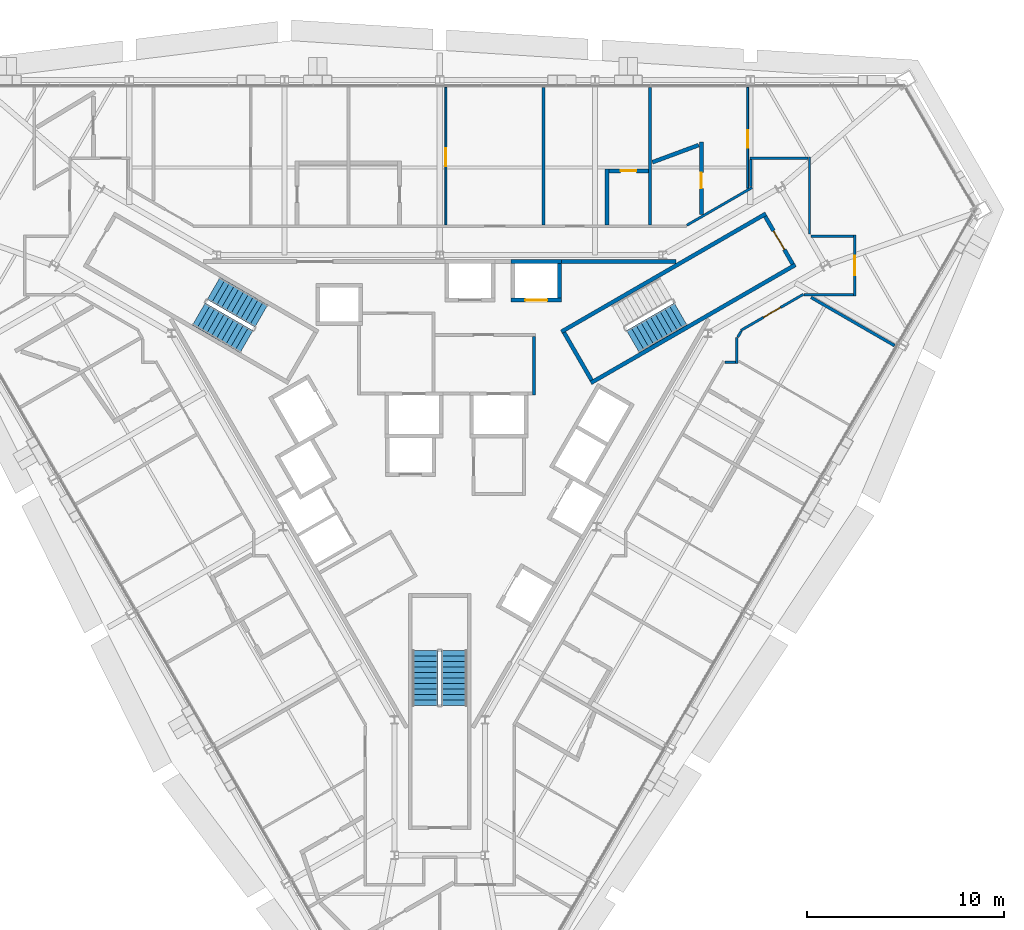
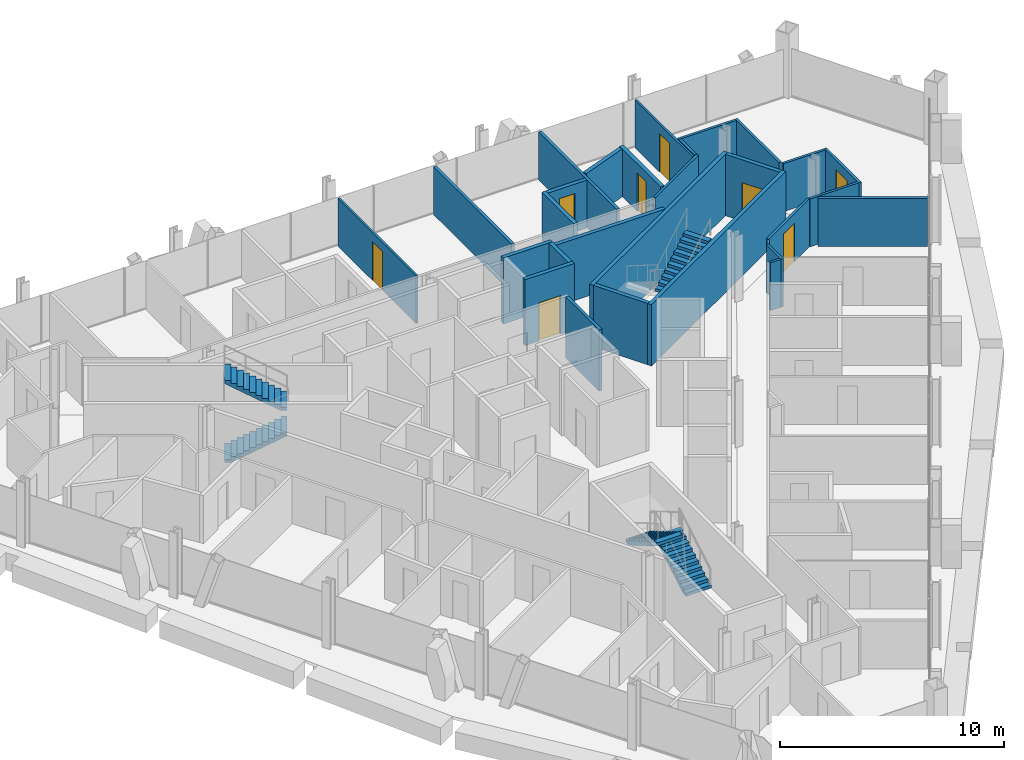
# One storey, part 14 of 17: 29 walls, 8 doors, 5 stair flights, 8 openings, 3 elements without a shape of their own.
"""IFC4 building model written with IfcOpenShell, lengths in metres."""

from ifc_helpers import new_model, si_unit, direction, frame, frame_2d, origin, place, context, subcontext, project, spatial, polyline, rectangle, outline, extrude, material, layer, layer_set, type_object, element, fill, aggregate, save


model = new_model("IFC4")

# Units and contexts
model_context = context("Model", 3, precision=1e-05, world=origin(), true_north=direction((0.0, 1.0)))
body_context = subcontext(model_context, "Body", "Model", "MODEL_VIEW")
ifc_project = project(units=[si_unit("LENGTHUNIT", "METRE"), si_unit("AREAUNIT", "SQUARE_METRE"), si_unit("VOLUMEUNIT", "CUBIC_METRE"), si_unit("PLANEANGLEUNIT", "RADIAN"), si_unit("MASSUNIT", "GRAM", prefix="KILO")], contexts=[model_context])

# Site, building, storey
site_placement = place(None, origin())
site = spatial("IfcSite", under=ifc_project, at=site_placement, CompositionType="ELEMENT")
building_placement = place(site_placement, origin())
building = spatial("IfcBuilding", under=site, at=building_placement, Name="Verrane Prism Tower", CompositionType="ELEMENT")
storey_placement = place(building_placement, frame((0.0, 0.0, 96.39990234375)))
storey = spatial("IfcBuildingStorey", under=building, at=storey_placement, Name="L22", CompositionType="ELEMENT", Elevation=96.39990234375)

# Wall
ifc_material_1 = material(Name="Gypsum board partition", Category="other")
ifc_layer_1 = layer(ifc_material_1, 0.199951171875)
ifc_layer_set_1 = layer_set([ifc_layer_1], Name="CW-200 core boundary wall 2 h")
wall_type_1 = type_object("IfcWallType", Name="CW-200 core boundary wall 2 h", PredefinedType="PARTITIONING", material=ifc_layer_set_1)
wall_1_placement = place(storey_placement, frame((6.177001953125, 8.860107421875, 0.0), z_axis=(0.0, 0.0, 1.0), x_axis=(1.0, 0.0, 0.0)))
element("IfcWall", 1, at=wall_1_placement, inside=storey, type_object=wall_type_1, Name="Core boundary wall CW3-006", PredefinedType="PARTITIONING", context=body_context, shape_type="SweptSolid", body=[
    extrude(rectangle(XDim=5.81396484375, YDim=0.199951171875, at=frame_2d((2.906982421875, 0.0))), origin(), (0.0, 0.0, 1.0), 3.35009765625),
])

# Wall, opening, door
ifc_material_2 = material(Name="Concrete C40/50", Category="concrete")
ifc_layer_2 = layer(ifc_material_2, 0.199951171875)
ifc_layer_set_2 = layer_set([ifc_layer_2], Name="CW-200 stair core wall concrete C40/50 3 h")
wall_type_2 = type_object("IfcWallType", Name="CW-200 stair core wall concrete C40/50 3 h", PredefinedType="PARTITIONING", material=ifc_layer_set_2)
wall_2_placement = place(storey_placement, frame((17.933837890625, 8.737548828125, 0.0), z_axis=(0.0, 0.0, 1.0), x_axis=(-0.49998411664, 0.866034573852, 0.0)))
wall_2 = element("IfcWall", 2, at=wall_2_placement, inside=storey, type_object=wall_type_2, Name="Stair 1 enclosure wall", PredefinedType="PARTITIONING", context=body_context, shape_type="SweptSolid", body=[
    extrude(rectangle(XDim=2.7998046875, YDim=0.199951171875, at=frame_2d((1.39990234375, 0.0))), origin(), (0.0, 0.0, 1.0), 3.35009765625),
])
opening_1_placement = place(wall_2_placement, frame((0.849853515625, 0.0, 0.0)))
opening_1 = element("IfcOpeningElement", 3, at=opening_1_placement, cuts=wall_2, Name="Opening D21500", PredefinedType="OPENING", context=body_context, shape_type="SweptSolid", body=[
    extrude(rectangle(XDim=1.10009765625, YDim=2.10009765625, at=frame_2d((0.550048828125, 1.050048828125))), frame((0.0, 0.10986328125, 0.0), z_axis=(0.0, -1.0, 0.0), x_axis=(1.0, 0.0, 0.0)), (0.0, 0.0, 1.0), 0.219970703125),
])
ifc_material_3 = material(Name="Timber veneered door leaf", Category="wood")
door_type_1 = type_object("IfcDoorType", Name="DR-1100x2100 FD90 single leaf stair", OperationType="NOTDEFINED", PredefinedType="DOOR", material=ifc_material_3)
door_1_placement = place(opening_1_placement, origin())
door_1 = element("IfcDoor", 4, at=door_1_placement, inside=storey, type_object=door_type_1, Name="Stair 1 door", OperationType="SINGLE_SWING_LEFT", OverallHeight=2.10009765625, OverallWidth=1.10009765625, PredefinedType="DOOR", context=body_context, shape_type="SweptSolid", body=[
    extrude(rectangle(XDim=1.10009765625, YDim=2.10009765625, at=frame_2d((0.550048828125, 1.050048828125))), frame((0.0, 0.02490234375, 0.0), z_axis=(0.0, -1.0, 0.0), x_axis=(1.0, 0.0, 0.0)), (0.0, 0.0, 1.0), 0.050048828125),
])
fill(opening_1, door_1)

# Walls
for number, where, z_axis, x_axis, name in (
    (5, (6.17822265625, 5.299072265625, 0.0), (0.0, 0.0, 1.0), (0.866026010844, 0.49999894854, 0.0), "Stair 1 enclosure wall"),
    (6, (7.67822265625, 2.700927734375, 0.0), (0.0, 0.0, 1.0), (0.866026010844, 0.49999894854, 0.0), "Stair 1 enclosure wall"),
):
    element("IfcWall", number, at=place(storey_placement, frame(where, z_axis=z_axis, x_axis=x_axis)), inside=storey, type_object=wall_type_2, Name=name, PredefinedType="PARTITIONING", context=body_context, shape_type="SweptSolid", body=[
        extrude(rectangle(XDim=12.0, YDim=0.199951171875, at=frame_2d((6.0, 0.0))), origin(), (0.0, 0.0, 1.0), 3.35009765625),
    ])
wall_3_placement = place(storey_placement, frame((7.71484375, 2.837646484375, 0.0), z_axis=(0.0, 0.0, 1.0), x_axis=(-0.500049511043, 0.865996816683, 0.0)))
element("IfcWall", 7, at=wall_3_placement, inside=storey, type_object=wall_type_2, Name="Stair 1 enclosure wall", PredefinedType="PARTITIONING", context=body_context, shape_type="SweptSolid", body=[
    extrude(rectangle(XDim=2.800048828125, YDim=0.199951171875, at=frame_2d((1.39990234375, 0.0))), origin(), (0.0, 0.0, 1.0), 3.35009765625),
])

# Wall, opening, door
ifc_material_4 = material(Name="Gypsum board shaft wall assembly", Category="other")
ifc_layer_3 = layer(ifc_material_4, 0.199951171875)
ifc_layer_set_3 = layer_set([ifc_layer_3], Name="HW-200 lift shaft wall 2 h")
wall_type_3 = type_object("IfcWallType", Name="HW-200 lift shaft wall 2 h", PredefinedType="PARTITIONING", material=ifc_layer_set_3)
wall_4_placement = place(storey_placement, frame((3.625, 6.909912109375, 0.0), z_axis=(0.0, 0.0, 1.0), x_axis=(1.0, 0.0, 0.0)))
wall_4 = element("IfcWall", 8, at=wall_4_placement, inside=storey, type_object=wall_type_3, Name="Lift shaft wall", PredefinedType="PARTITIONING", context=body_context, shape_type="SweptSolid", body=[
    extrude(rectangle(XDim=2.550048828125, YDim=0.199951171875, at=frame_2d((1.27490234375, 0.0))), origin(), (0.0, 0.0, 1.0), 3.60009765625),
])
opening_2_placement = place(wall_4_placement, frame((0.72509765625, 0.0, 0.0)))
opening_2 = element("IfcOpeningElement", 9, at=opening_2_placement, cuts=wall_4, Name="Opening D21505", PredefinedType="OPENING", context=body_context, shape_type="SweptSolid", body=[
    extrude(rectangle(XDim=1.10009765625, YDim=2.10009765625, at=frame_2d((0.550048828125, 1.050048828125))), frame((0.0, 0.10986328125, 0.0), z_axis=(0.0, -1.0, 0.0), x_axis=(1.0, 0.0, 0.0)), (0.0, 0.0, 1.0), 0.219970703125),
])
ifc_material_5 = material(Name="Stainless steel sliding landing door", Category="steel")
door_type_2 = type_object("IfcDoorType", Name="LD-1100x2100 lift landing door FD90 sliding", OperationType="NOTDEFINED", PredefinedType="DOOR", material=ifc_material_5)
door_2_placement = place(opening_2_placement, origin())
door_2 = element("IfcDoor", 10, at=door_2_placement, inside=storey, type_object=door_type_2, Name="Bank A lift 3 landing door", OperationType="SLIDING_TO_LEFT", OverallHeight=2.10009765625, OverallWidth=1.10009765625, PredefinedType="DOOR", context=body_context, shape_type="SweptSolid", body=[
    extrude(rectangle(XDim=1.10009765625, YDim=2.10009765625, at=frame_2d((0.550048828125, 1.050048828125))), frame((0.0, 0.02490234375, 0.0), z_axis=(0.0, -1.0, 0.0), x_axis=(1.0, 0.0, 0.0)), (0.0, 0.0, 1.0), 0.050048828125),
])
fill(opening_2, door_2)

# Walls
wall_5_placement = place(storey_placement, frame((3.625, 8.860107421875, 0.0), z_axis=(0.0, 0.0, 1.0), x_axis=(1.0, 0.0, 0.0)))
element("IfcWall", 11, at=wall_5_placement, inside=storey, type_object=wall_type_3, Name="Lift shaft wall", PredefinedType="PARTITIONING", context=body_context, shape_type="SweptSolid", body=[
    extrude(rectangle(XDim=2.550048828125, YDim=0.199951171875, at=frame_2d((1.27490234375, 0.0))), origin(), (0.0, 0.0, 1.0), 3.60009765625),
])
wall_6_placement = place(storey_placement, frame((6.074951171875, 7.010009765625, 0.0), z_axis=(0.0, 0.0, 1.0), x_axis=(0.0, 1.0, 0.0)))
element("IfcWall", 12, at=wall_6_placement, inside=storey, type_object=wall_type_3, Name="Lift shaft wall", PredefinedType="PARTITIONING", context=body_context, shape_type="SweptSolid", body=[
    extrude(rectangle(XDim=1.75, YDim=0.199951171875, at=frame_2d((0.875, 0.0))), origin(), (0.0, 0.0, 1.0), 3.60009765625),
])
ifc_material_6 = material(Name="Gypsum board partition", Category="other")
ifc_layer_4 = layer(ifc_material_6, 0.14990234375)
ifc_layer_set_4 = layer_set([ifc_layer_4], Name="LF-150 firefighting lobby wall 1 h")
wall_type_4 = type_object("IfcWallType", Name="LF-150 firefighting lobby wall 1 h", PredefinedType="PARTITIONING", material=ifc_layer_set_4)
wall_7_placement = place(storey_placement, frame((4.7900390625, 2.0849609375, 0.0), z_axis=(0.0, 0.0, 1.0), x_axis=(0.0, 1.0, 0.0)))
element("IfcWall", 13, at=wall_7_placement, inside=storey, type_object=wall_type_4, Name="Firefighting lobby wall LF1-008", PredefinedType="PARTITIONING", context=body_context, shape_type="SweptSolid", body=[
    extrude(rectangle(XDim=2.97998046875, YDim=0.14990234375, at=frame_2d((1.489990234375, 0.0))), origin(), (0.0, 0.0, 1.0), 3.35009765625),
])

# Wall, opening, door
ifc_material_7 = material(Name="Gypsum board partition", Category="other")
ifc_layer_5 = layer(ifc_material_7, 0.10009765625)
ifc_layer_set_5 = layer_set([ifc_layer_5], Name="PW-100 room partition")
wall_type_5 = type_object("IfcWallType", Name="PW-100 room partition", PredefinedType="PARTITIONING", material=ifc_layer_set_5)
wall_8_placement = place(storey_placement, frame((0.31298828125, 10.7333984375, 0.0), z_axis=(0.0, 0.0, 1.0), x_axis=(0.0, 1.0, 0.0)))
wall_8 = element("IfcWall", 14, at=wall_8_placement, inside=storey, type_object=wall_type_5, Name="Room partition 053", PredefinedType="PARTITIONING", context=body_context, shape_type="SweptSolid", body=[
    extrude(rectangle(XDim=6.981689453125, YDim=0.10009765625, at=frame_2d((3.49072265625, 0.0))), origin(), (0.0, 0.0, 1.0), 2.613037109375),
])
opening_3_placement = place(wall_8_placement, frame((2.987548828125, 0.0, 0.0)))
opening_3 = element("IfcOpeningElement", 15, at=opening_3_placement, cuts=wall_8, Name="Opening D21018", PredefinedType="OPENING", context=body_context, shape_type="SweptSolid", body=[
    extrude(rectangle(XDim=0.89990234375, YDim=2.10009765625, at=frame_2d((0.449951171875, 1.050048828125))), frame((0.0, 0.06005859375, 0.0), z_axis=(0.0, -1.0, 0.0), x_axis=(1.0, 0.0, 0.0)), (0.0, 0.0, 1.0), 0.1201171875),
])
ifc_material_8 = material(Name="Timber veneered door leaf", Category="wood")
door_type_3 = type_object("IfcDoorType", Name="DR-900x2100 single leaf inner", OperationType="NOTDEFINED", PredefinedType="DOOR", material=ifc_material_8)
door_3_placement = place(opening_3_placement, origin())
door_3 = element("IfcDoor", 16, at=door_3_placement, inside=storey, type_object=door_type_3, Name="Suite Living Room door", OperationType="SINGLE_SWING_RIGHT", OverallHeight=2.10009765625, OverallWidth=0.89990234375, PredefinedType="DOOR", context=body_context, shape_type="SweptSolid", body=[
    extrude(rectangle(XDim=0.89990234375, YDim=2.10009765625, at=frame_2d((0.449951171875, 1.050048828125))), frame((0.0, 0.02490234375, 0.0), z_axis=(0.0, -1.0, 0.0), x_axis=(1.0, 0.0, 0.0)), (0.0, 0.0, 1.0), 0.050048828125),
])
fill(opening_3, door_3)

wall_9_placement = place(storey_placement, frame((15.64794921875, 12.59912109375, 0.0), z_axis=(0.0, 0.0, 1.0), x_axis=(0.0, 1.0, 0.0)))
wall_9 = element("IfcWall", 17, at=wall_9_placement, inside=storey, type_object=wall_type_5, Name="Room partition 087", PredefinedType="PARTITIONING", context=body_context, shape_type="SweptSolid", body=[
    extrude(rectangle(XDim=5.115966796875, YDim=0.10009765625, at=frame_2d((2.55810546875, 0.0))), origin(), (0.0, 0.0, 1.0), 2.613037109375),
])
opening_4_placement = place(wall_9_placement, frame((2.049072265625, 0.0, 0.0)))
opening_4 = element("IfcOpeningElement", 18, at=opening_4_placement, cuts=wall_9, Name="Opening D21013", PredefinedType="OPENING", context=body_context, shape_type="SweptSolid", body=[
    extrude(rectangle(XDim=0.89990234375, YDim=2.10009765625, at=frame_2d((0.449951171875, 1.050048828125))), frame((0.0, 0.06005859375, 0.0), z_axis=(0.0, -1.0, 0.0), x_axis=(1.0, 0.0, 0.0)), (0.0, 0.0, 1.0), 0.1201171875),
])
door_4_placement = place(opening_4_placement, origin())
door_4 = element("IfcDoor", 19, at=door_4_placement, inside=storey, type_object=door_type_3, Name="Suite Living Room door", OperationType="SINGLE_SWING_LEFT", OverallHeight=2.10009765625, OverallWidth=0.89990234375, PredefinedType="DOOR", context=body_context, shape_type="SweptSolid", body=[
    extrude(rectangle(XDim=0.89990234375, YDim=2.10009765625, at=frame_2d((0.449951171875, 1.050048828125))), frame((0.0, 0.02490234375, 0.0), z_axis=(0.0, -1.0, 0.0), x_axis=(1.0, 0.0, 0.0)), (0.0, 0.0, 1.0), 0.050048828125),
])
fill(opening_4, door_4)

# Walls
ifc_material_9 = material(Name="Gypsum board partition", Category="other")
ifc_layer_6 = layer(ifc_material_9, 0.125)
ifc_layer_set_6 = layer_set([ifc_layer_6], Name="PW-125 corridor wall 1 h")
wall_type_6 = type_object("IfcWallType", Name="PW-125 corridor wall 1 h", PredefinedType="PARTITIONING", material=ifc_layer_set_6)
wall_10_placement = place(storey_placement, frame((12.5556640625, 10.71337890625, 0.0), z_axis=(0.0, 0.0, 1.0), x_axis=(0.86603035395, 0.499991425964, 0.0)))
element("IfcWall", 20, at=wall_10_placement, inside=storey, type_object=wall_type_6, Name="Corridor wall 077", PredefinedType="PARTITIONING", context=body_context, shape_type="SweptSolid", body=[
    extrude(rectangle(XDim=3.82373046875, YDim=0.125, at=frame_2d((1.911865234375, 0.0))), origin(), (0.0, 0.0, 1.0), 2.613037109375),
])
wall_11_placement = place(storey_placement, frame((14.489013671875, 3.7490234375, 0.0), z_axis=(0.0, 0.0, 1.0), x_axis=(1.0, 0.0, 0.0)))
element("IfcWall", 21, at=wall_11_placement, inside=storey, type_object=wall_type_6, Name="Corridor wall 081", PredefinedType="PARTITIONING", context=body_context, shape_type="SweptSolid", body=[
    extrude(rectangle(XDim=0.546875, YDim=0.125, at=frame_2d((0.2734375, 0.0))), origin(), (0.0, 0.0, 1.0), 2.613037109375),
])
wall_12_placement = place(storey_placement, frame((15.10107421875, 3.6865234375, 0.0), z_axis=(0.0, 0.0, 1.0), x_axis=(0.0, 1.0, 0.0)))
element("IfcWall", 22, at=wall_12_placement, inside=storey, type_object=wall_type_6, Name="Corridor wall 083", PredefinedType="PARTITIONING", context=body_context, shape_type="SweptSolid", body=[
    extrude(rectangle(XDim=1.3310546875, YDim=0.125, at=frame_2d((0.66552734375, 0.0))), origin(), (0.0, 0.0, 1.0), 2.613037109375),
])
wall_13_placement = place(storey_placement, frame((15.1435546875, 5.028564453125, 0.0), z_axis=(0.0, 0.0, 1.0), x_axis=(0.499682006278, 0.86620891972, 0.0)))
element("IfcWall", 23, at=wall_13_placement, inside=storey, type_object=wall_type_6, Name="Corridor wall 085", PredefinedType="PARTITIONING", context=body_context, shape_type="SweptSolid", body=[
    extrude(rectangle(XDim=0.348388671875, YDim=0.125, at=frame_2d((0.17431640625, 0.0))), origin(), (0.0, 0.0, 1.0), 2.613037109375),
])

# Wall, opening, door
wall_14_placement = place(storey_placement, frame((18.47802734375, 7.204345703125, 0.0), z_axis=(0.0, 0.0, 1.0), x_axis=(-0.866011320536, -0.500024392108, 0.0)))
wall_14 = element("IfcWall", 24, at=wall_14_placement, inside=storey, type_object=wall_type_6, Name="Corridor wall 086", PredefinedType="PARTITIONING", context=body_context, shape_type="SweptSolid", body=[
    extrude(rectangle(XDim=3.662841796875, YDim=0.125, at=frame_2d((1.83154296875, 0.0))), origin(), (0.0, 0.0, 1.0), 2.613037109375),
])
opening_5_placement = place(wall_14_placement, frame((1.3505859375, 0.0, 0.0)))
opening_5 = element("IfcOpeningElement", 25, at=opening_5_placement, cuts=wall_14, Name="Opening D21009", PredefinedType="OPENING", context=body_context, shape_type="SweptSolid", body=[
    extrude(rectangle(XDim=1.0, YDim=2.10009765625, at=frame_2d((0.5, 1.050048828125))), frame((0.0, 0.072509765625, 0.0), z_axis=(0.0, -1.0, 0.0), x_axis=(1.0, 0.0, 0.0)), (0.0, 0.0, 1.0), 0.14501953125),
])
ifc_material_10 = material(Name="Timber veneered door leaf", Category="wood")
door_type_4 = type_object("IfcDoorType", Name="DR-1000x2100 FD20 single leaf unit", OperationType="NOTDEFINED", PredefinedType="DOOR", material=ifc_material_10)
door_5_placement = place(opening_5_placement, origin())
door_5 = element("IfcDoor", 26, at=door_5_placement, inside=storey, type_object=door_type_4, Name="Suite Living Room door", OperationType="SINGLE_SWING_RIGHT", OverallHeight=2.10009765625, OverallWidth=1.0, PredefinedType="DOOR", context=body_context, shape_type="SweptSolid", body=[
    extrude(rectangle(XDim=1.0, YDim=2.10009765625, at=frame_2d((0.5, 1.050048828125))), frame((0.0, 0.02490234375, 0.0), z_axis=(0.0, -1.0, 0.0), x_axis=(1.0, 0.0, 0.0)), (0.0, 0.0, 1.0), 0.050048828125),
])
fill(opening_5, door_5)

# Walls
wall_15_placement = place(storey_placement, frame((15.81298828125, 12.678955078125, 0.0), z_axis=(0.0, 0.0, 1.0), x_axis=(0.0, 1.0, 0.0)))
element("IfcWall", 27, at=wall_15_placement, inside=storey, type_object=wall_type_6, Name="Corridor wall 088", PredefinedType="PARTITIONING", context=body_context, shape_type="SweptSolid", body=[
    extrude(rectangle(XDim=1.383056640625, YDim=0.125, at=frame_2d((0.69140625, 0.0))), origin(), (0.0, 0.0, 1.0), 2.613037109375),
])
wall_16_placement = place(storey_placement, frame((15.75048828125, 14.126953125, 0.0), z_axis=(0.0, 0.0, 1.0), x_axis=(1.0, 0.0, 0.0)))
element("IfcWall", 28, at=wall_16_placement, inside=storey, type_object=wall_type_6, Name="Corridor wall 089", PredefinedType="PARTITIONING", context=body_context, shape_type="SweptSolid", body=[
    extrude(rectangle(XDim=2.971435546875, YDim=0.125, at=frame_2d((1.48583984375, 0.0))), origin(), (0.0, 0.0, 1.0), 2.613037109375),
])
wall_17_placement = place(storey_placement, frame((18.509033203125, 7.173095703125, 0.0), z_axis=(0.0, 0.0, 1.0), x_axis=(1.0, 0.0, 0.0)))
element("IfcWall", 29, at=wall_17_placement, inside=storey, type_object=wall_type_6, Name="Corridor wall 090", PredefinedType="PARTITIONING", context=body_context, shape_type="SweptSolid", body=[
    extrude(rectangle(XDim=2.512939453125, YDim=0.125, at=frame_2d((1.25634765625, 0.0))), origin(), (0.0, 0.0, 1.0), 2.613037109375),
])
wall_18_placement = place(storey_placement, frame((18.787109375, 10.259033203125, 0.0), z_axis=(0.0, 0.0, 1.0), x_axis=(0.0, 1.0, 0.0)))
element("IfcWall", 30, at=wall_18_placement, inside=storey, type_object=wall_type_6, Name="Corridor wall 092", PredefinedType="PARTITIONING", context=body_context, shape_type="SweptSolid", body=[
    extrude(rectangle(XDim=3.930419921875, YDim=0.125, at=frame_2d((1.96533203125, 0.0))), origin(), (0.0, 0.0, 1.0), 2.613037109375),
])
wall_19_placement = place(storey_placement, frame((18.85205078125, 10.14697265625, 0.0), z_axis=(0.0, 0.0, 1.0), x_axis=(1.0, 0.0, 0.0)))
element("IfcWall", 31, at=wall_19_placement, inside=storey, type_object=wall_type_6, Name="Corridor wall 093", PredefinedType="PARTITIONING", context=body_context, shape_type="SweptSolid", body=[
    extrude(rectangle(XDim=2.169921875, YDim=0.125, at=frame_2d((1.0849609375, 0.0))), origin(), (0.0, 0.0, 1.0), 2.613037109375),
])

# Wall, opening, door
wall_20_placement = place(storey_placement, frame((21.0869140625, 10.20947265625, 0.0), z_axis=(0.0, 0.0, 1.0), x_axis=(0.0, -1.0, 0.0)))
wall_20 = element("IfcWall", 32, at=wall_20_placement, inside=storey, type_object=wall_type_6, Name="Corridor wall 094", PredefinedType="PARTITIONING", context=body_context, shape_type="SweptSolid", body=[
    extrude(rectangle(XDim=3.098876953125, YDim=0.125, at=frame_2d((1.54931640625, 0.0))), origin(), (0.0, 0.0, 1.0), 2.613037109375),
])
opening_6_placement = place(wall_20_placement, frame((1.03662109375, 0.0, 0.0)))
opening_6 = element("IfcOpeningElement", 33, at=opening_6_placement, cuts=wall_20, Name="Opening D21012", PredefinedType="OPENING", context=body_context, shape_type="SweptSolid", body=[
    extrude(rectangle(XDim=1.0, YDim=2.10009765625, at=frame_2d((0.5, 1.050048828125))), frame((0.0, 0.072509765625, 0.0), z_axis=(0.0, -1.0, 0.0), x_axis=(1.0, 0.0, 0.0)), (0.0, 0.0, 1.0), 0.14501953125),
])
door_6_placement = place(opening_6_placement, origin())
door_6 = element("IfcDoor", 34, at=door_6_placement, inside=storey, type_object=door_type_4, Name="Suite Living Room door", OperationType="SINGLE_SWING_LEFT", OverallHeight=2.10009765625, OverallWidth=1.0, PredefinedType="DOOR", context=body_context, shape_type="SweptSolid", body=[
    extrude(rectangle(XDim=1.0, YDim=2.10009765625, at=frame_2d((0.5, 1.050048828125))), frame((0.0, 0.02490234375, 0.0), z_axis=(0.0, -1.0, 0.0), x_axis=(1.0, 0.0, 0.0)), (0.0, 0.0, 1.0), 0.050048828125),
])
fill(opening_6, door_6)

# Walls
ifc_material_11 = material(Name="Gypsum board partition", Category="other")
ifc_layer_7 = layer(ifc_material_11, 0.14990234375)
ifc_layer_set_7 = layer_set([ifc_layer_7], Name="PW-150 demising wall 1 h")
wall_type_7 = type_object("IfcWallType", Name="PW-150 demising wall 1 h", PredefinedType="PARTITIONING", material=ifc_layer_set_7)
for number, where, z_axis, x_axis, name in (
    (35, (5.26806640625, 10.7333984375, 0.0), (0.0, 0.0, 1.0), (0.0, 1.0, 0.0), "Demising wall 062"),
    (36, (10.693115234375, 10.7333984375, 0.0), (0.0, 0.0, 1.0), (0.0, 1.0, 0.0), "Demising wall 073"),
):
    element("IfcWall", number, at=place(storey_placement, frame(where, z_axis=z_axis, x_axis=x_axis)), inside=storey, type_object=wall_type_7, Name=name, PredefinedType="PARTITIONING", context=body_context, shape_type="SweptSolid", body=[
        extrude(rectangle(XDim=6.981689453125, YDim=0.14990234375, at=frame_2d((3.49072265625, 0.0))), origin(), (0.0, 0.0, 1.0), 2.613037109375),
    ])
wall_21_placement = place(storey_placement, frame((18.86572265625, 7.045654296875, 0.0), z_axis=(0.0, 0.0, 1.0), x_axis=(0.866042025588, -0.499971209087, 0.0)))
element("IfcWall", 37, at=wall_21_placement, inside=storey, type_object=wall_type_7, Name="Demising wall 091", PredefinedType="PARTITIONING", context=body_context, shape_type="SweptSolid", body=[
    extrude(rectangle(XDim=4.899169921875, YDim=0.14990234375, at=frame_2d((2.44970703125, 0.0))), origin(), (0.0, 0.0, 1.0), 2.613037109375),
])
ifc_material_12 = material(Name="Gypsum board partition", Category="other")
ifc_layer_8 = layer(ifc_material_12, 0.199951171875)
ifc_layer_set_8 = layer_set([ifc_layer_8], Name="PW-200 plumbing wall")
wall_type_8 = type_object("IfcWallType", Name="PW-200 plumbing wall", PredefinedType="PARTITIONING", material=ifc_layer_set_8)
wall_22_placement = place(storey_placement, frame((8.492919921875, 10.7333984375, 0.0), z_axis=(0.0, 0.0, 1.0), x_axis=(0.0, 1.0, 0.0)))
element("IfcWall", 38, at=wall_22_placement, inside=storey, type_object=wall_type_8, Name="Plumbing wall 067", PredefinedType="PARTITIONING", context=body_context, shape_type="SweptSolid", body=[
    extrude(rectangle(XDim=2.837646484375, YDim=0.199951171875, at=frame_2d((1.4189453125, 0.0))), origin(), (0.0, 0.0, 1.0), 2.613037109375),
])

# Wall, opening, door
wall_23_placement = place(storey_placement, frame((10.617919921875, 13.470947265625, 0.0), z_axis=(0.0, 0.0, 1.0), x_axis=(-1.0, 0.0, 0.0)))
wall_23 = element("IfcWall", 39, at=wall_23_placement, inside=storey, type_object=wall_type_8, Name="Plumbing wall 068", PredefinedType="PARTITIONING", context=body_context, shape_type="SweptSolid", body=[
    extrude(rectangle(XDim=2.02490234375, YDim=0.199951171875, at=frame_2d((1.012451171875, 0.0))), origin(), (0.0, 0.0, 1.0), 2.613037109375),
])
opening_7_placement = place(wall_23_placement, frame((0.625, 0.0, 0.0)))
opening_7 = element("IfcOpeningElement", 40, at=opening_7_placement, cuts=wall_23, Name="Opening D21016", PredefinedType="OPENING", context=body_context, shape_type="SweptSolid", body=[
    extrude(rectangle(XDim=0.800048828125, YDim=2.10009765625, at=frame_2d((0.39990234375, 1.050048828125))), frame((0.0, 0.10986328125, 0.0), z_axis=(0.0, -1.0, 0.0), x_axis=(1.0, 0.0, 0.0)), (0.0, 0.0, 1.0), 0.219970703125),
])
ifc_material_13 = material(Name="Timber veneered door leaf", Category="wood")
door_type_5 = type_object("IfcDoorType", Name="DR-800x2100 single leaf bath", OperationType="NOTDEFINED", PredefinedType="DOOR", material=ifc_material_13)
door_7_placement = place(opening_7_placement, origin())
door_7 = element("IfcDoor", 41, at=door_7_placement, inside=storey, type_object=door_type_5, Name="En-Suite door", OperationType="SINGLE_SWING_LEFT", OverallHeight=2.10009765625, OverallWidth=0.800048828125, PredefinedType="DOOR", context=body_context, shape_type="SweptSolid", body=[
    extrude(rectangle(XDim=0.800048828125, YDim=2.10009765625, at=frame_2d((0.39990234375, 1.050048828125))), frame((0.0, 0.02490234375, 0.0), z_axis=(0.0, -1.0, 0.0), x_axis=(1.0, 0.0, 0.0)), (0.0, 0.0, 1.0), 0.050048828125),
])
fill(opening_7, door_7)

# Wall
wall_24_placement = place(storey_placement, frame((10.802734375, 13.91162109375, 0.0), z_axis=(0.0, 0.0, 1.0), x_axis=(0.937732337139, 0.347358696283, 0.0)))
element("IfcWall", 42, at=wall_24_placement, inside=storey, type_object=wall_type_8, Name="Plumbing wall 074", PredefinedType="PARTITIONING", context=body_context, shape_type="SweptSolid", body=[
    extrude(rectangle(XDim=2.510498046875, YDim=0.199951171875, at=frame_2d((1.25537109375, 0.0))), origin(), (0.0, 0.0, 1.0), 2.613037109375),
])

# Wall, opening, door
wall_25_placement = place(storey_placement, frame((13.29296875, 11.268798828125, 0.0), z_axis=(0.0, 0.0, 1.0), x_axis=(0.0, 1.0, 0.0)))
wall_25 = element("IfcWall", 43, at=wall_25_placement, inside=storey, type_object=wall_type_8, Name="Plumbing wall 078", PredefinedType="PARTITIONING", context=body_context, shape_type="SweptSolid", body=[
    extrude(rectangle(XDim=3.665283203125, YDim=0.199951171875, at=frame_2d((1.83251953125, 0.0))), origin(), (0.0, 0.0, 1.0), 2.613037109375),
])
opening_8_placement = place(wall_25_placement, frame((1.320068359375, 0.0, 0.0)))
opening_8 = element("IfcOpeningElement", 44, at=opening_8_placement, cuts=wall_25, Name="Opening D21014", PredefinedType="OPENING", context=body_context, shape_type="SweptSolid", body=[
    extrude(rectangle(XDim=0.800048828125, YDim=2.10009765625, at=frame_2d((0.39990234375, 1.050048828125))), frame((0.0, 0.10986328125, 0.0), z_axis=(0.0, -1.0, 0.0), x_axis=(1.0, 0.0, 0.0)), (0.0, 0.0, 1.0), 0.219970703125),
])
door_8_placement = place(opening_8_placement, origin())
door_8 = element("IfcDoor", 45, at=door_8_placement, inside=storey, type_object=door_type_5, Name="En-Suite door", OperationType="SINGLE_SWING_RIGHT", OverallHeight=2.10009765625, OverallWidth=0.800048828125, PredefinedType="DOOR", context=body_context, shape_type="SweptSolid", body=[
    extrude(rectangle(XDim=0.800048828125, YDim=2.10009765625, at=frame_2d((0.39990234375, 1.050048828125))), frame((0.0, 0.02490234375, 0.0), z_axis=(0.0, -1.0, 0.0), x_axis=(1.0, 0.0, 0.0)), (0.0, 0.0, 1.0), 0.050048828125),
])
fill(opening_8, door_8)

# Stair, stair flight
ifc_material_14 = material(Name="Concrete C40/50", Category="concrete")
stair_type = type_object("IfcStairType", Name="Exit stair 1300 dog-leg precast concrete C40/50", PredefinedType="HALF_TURN_STAIR", material=ifc_material_14)
stair_1_placement = place(storey_placement, origin())
stair_1 = element("IfcStair", 46, at=stair_1_placement, inside=storey, type_object=stair_type, Name="Stair 1 L22", PredefinedType="HALF_TURN_STAIR")
ifc_material_15 = material(Name="Concrete C40/50", Category="concrete")
stair_flight_type = type_object("IfcStairFlightType", Name="Stair flight 1300 precast concrete C40/50", PredefinedType="STRAIGHT", material=ifc_material_15)
stair_flight_1_placement = place(storey_placement, frame((9.814697265625, 4.800537109375, 1.800048828125), z_axis=(0.0, 0.0, 1.0), x_axis=(0.866025403784, 0.5, 0.0)))
stair_flight_1 = element("IfcStairFlight", 47, at=stair_flight_1_placement, type_object=stair_flight_type, Name="Stair 1 flight 2", NumberOfRisers=11, NumberOfTreads=10, PredefinedType="STRAIGHT", RiserHeight=0.163636364, TreadLength=0.28, context=body_context, shape_type="SweptSolid", body=[
    extrude(outline(polyline([(0.0, 0.0), (0.0, 0.16357421875), (0.280029296875, 0.16357421875), (0.280029296875, 0.327392578125), (0.56005859375, 0.327392578125), (0.56005859375, 0.490966796875), (0.840087890625, 0.490966796875), (0.840087890625, 0.654541015625), (1.1201171875, 0.654541015625), (1.1201171875, 0.818115234375), (1.39990234375, 0.818115234375), (1.39990234375, 0.98193359375), (1.679931640625, 0.98193359375), (1.679931640625, 1.1455078125), (1.9599609375, 1.1455078125), (1.9599609375, 1.30908203125), (2.239990234375, 1.30908203125), (2.239990234375, 1.47265625), (2.52001953125, 1.47265625), (2.52001953125, 1.636474609375), (2.800048828125, 1.636474609375), (2.800048828125, 1.800048828125), (2.800048828125, 1.462646484375), (0.297119140625, 0.0), (0.0, 0.0)])), frame((0.0, 0.64990234375, 0.0), z_axis=(0.0, -1.0, 0.0), x_axis=(1.0, 0.0, 0.0)), (0.0, 0.0, 1.0), 1.300048828125),
])
aggregate(stair_1, [stair_flight_1])

# Stair, stair flights
stair_2_placement = place(storey_placement, origin())
stair_2 = element("IfcStair", 48, at=stair_2_placement, inside=storey, type_object=stair_type, Name="Stair 2 L22", PredefinedType="HALF_TURN_STAIR")
stair_flight_2_placement = place(storey_placement, frame((-12.239501953125, 6.200439453125, 0.0), z_axis=(0.0, 0.0, 1.0), x_axis=(0.866025403784, -0.5, 0.0)))
stair_flight_2 = element("IfcStairFlight", 49, at=stair_flight_2_placement, type_object=stair_flight_type, Name="Stair 2 flight 1", NumberOfRisers=11, NumberOfTreads=10, PredefinedType="STRAIGHT", RiserHeight=0.163636364, TreadLength=0.28, context=body_context, shape_type="SweptSolid", body=[
    extrude(outline(polyline([(0.0, 0.0), (0.0, 0.16357421875), (0.280029296875, 0.16357421875), (0.280029296875, 0.327392578125), (0.56005859375, 0.327392578125), (0.56005859375, 0.490966796875), (0.840087890625, 0.490966796875), (0.840087890625, 0.654541015625), (1.1201171875, 0.654541015625), (1.1201171875, 0.818115234375), (1.39990234375, 0.818115234375), (1.39990234375, 0.98193359375), (1.679931640625, 0.98193359375), (1.679931640625, 1.1455078125), (1.9599609375, 1.1455078125), (1.9599609375, 1.30908203125), (2.239990234375, 1.30908203125), (2.239990234375, 1.47265625), (2.52001953125, 1.47265625), (2.52001953125, 1.636474609375), (2.800048828125, 1.636474609375), (2.800048828125, 1.800048828125), (2.800048828125, 1.462646484375), (0.297119140625, 0.0), (0.0, 0.0)])), frame((0.0, 0.64990234375, 0.0), z_axis=(0.0, -1.0, 0.0), x_axis=(1.0, 0.0, 0.0)), (0.0, 0.0, 1.0), 1.300048828125),
])
stair_flight_3_placement = place(storey_placement, frame((-9.064697265625, 6.099609375, 1.800048828125), z_axis=(0.0, 0.0, 1.0), x_axis=(-0.866025403784, 0.5, 0.0)))
stair_flight_3 = element("IfcStairFlight", 50, at=stair_flight_3_placement, type_object=stair_flight_type, Name="Stair 2 flight 2", NumberOfRisers=11, NumberOfTreads=10, PredefinedType="STRAIGHT", RiserHeight=0.163636364, TreadLength=0.28, context=body_context, shape_type="SweptSolid", body=[
    extrude(outline(polyline([(0.0, 0.0), (0.0, 0.16357421875), (0.280029296875, 0.16357421875), (0.280029296875, 0.327392578125), (0.56005859375, 0.327392578125), (0.56005859375, 0.490966796875), (0.840087890625, 0.490966796875), (0.840087890625, 0.654541015625), (1.1201171875, 0.654541015625), (1.1201171875, 0.818115234375), (1.39990234375, 0.818115234375), (1.39990234375, 0.98193359375), (1.679931640625, 0.98193359375), (1.679931640625, 1.1455078125), (1.9599609375, 1.1455078125), (1.9599609375, 1.30908203125), (2.239990234375, 1.30908203125), (2.239990234375, 1.47265625), (2.52001953125, 1.47265625), (2.52001953125, 1.636474609375), (2.800048828125, 1.636474609375), (2.800048828125, 1.800048828125), (2.800048828125, 1.462646484375), (0.297119140625, 0.0), (0.0, 0.0)])), frame((0.0, 0.64990234375, 0.0), z_axis=(0.0, -1.0, 0.0), x_axis=(1.0, 0.0, 0.0)), (0.0, 0.0, 1.0), 1.300048828125),
])
aggregate(stair_2, [stair_flight_2, stair_flight_3])

stair_3_placement = place(storey_placement, origin())
stair_3 = element("IfcStair", 51, at=stair_3_placement, inside=storey, type_object=stair_type, Name="Stair 3 L22", PredefinedType="HALF_TURN_STAIR")
stair_flight_4_placement = place(storey_placement, frame((0.75, -13.699951171875, 0.0), z_axis=(0.0, 0.0, 1.0), x_axis=(0.0, 1.0, 0.0)))
stair_flight_4 = element("IfcStairFlight", 52, at=stair_flight_4_placement, type_object=stair_flight_type, Name="Stair 3 flight 1", NumberOfRisers=11, NumberOfTreads=10, PredefinedType="STRAIGHT", RiserHeight=0.163636364, TreadLength=0.28, context=body_context, shape_type="SweptSolid", body=[
    extrude(outline(polyline([(0.0, 0.0), (0.0, 0.16357421875), (0.280029296875, 0.16357421875), (0.280029296875, 0.327392578125), (0.56005859375, 0.327392578125), (0.56005859375, 0.490966796875), (0.840087890625, 0.490966796875), (0.840087890625, 0.654541015625), (1.1201171875, 0.654541015625), (1.1201171875, 0.818115234375), (1.39990234375, 0.818115234375), (1.39990234375, 0.98193359375), (1.679931640625, 0.98193359375), (1.679931640625, 1.1455078125), (1.9599609375, 1.1455078125), (1.9599609375, 1.30908203125), (2.239990234375, 1.30908203125), (2.239990234375, 1.47265625), (2.52001953125, 1.47265625), (2.52001953125, 1.636474609375), (2.800048828125, 1.636474609375), (2.800048828125, 1.800048828125), (2.800048828125, 1.462646484375), (0.297119140625, 0.0), (0.0, 0.0)])), frame((0.0, 0.64990234375, 0.0), z_axis=(0.0, -1.0, 0.0), x_axis=(1.0, 0.0, 0.0)), (0.0, 0.0, 1.0), 1.300048828125),
])
stair_flight_5_placement = place(storey_placement, frame((-0.75, -10.89990234375, 1.800048828125), z_axis=(0.0, 0.0, 1.0), x_axis=(0.0, -1.0, 0.0)))
stair_flight_5 = element("IfcStairFlight", 53, at=stair_flight_5_placement, type_object=stair_flight_type, Name="Stair 3 flight 2", NumberOfRisers=11, NumberOfTreads=10, PredefinedType="STRAIGHT", RiserHeight=0.163636364, TreadLength=0.28, context=body_context, shape_type="SweptSolid", body=[
    extrude(outline(polyline([(0.0, 0.0), (0.0, 0.16357421875), (0.280029296875, 0.16357421875), (0.280029296875, 0.327392578125), (0.56005859375, 0.327392578125), (0.56005859375, 0.490966796875), (0.840087890625, 0.490966796875), (0.840087890625, 0.654541015625), (1.1201171875, 0.654541015625), (1.1201171875, 0.818115234375), (1.39990234375, 0.818115234375), (1.39990234375, 0.98193359375), (1.679931640625, 0.98193359375), (1.679931640625, 1.1455078125), (1.9599609375, 1.1455078125), (1.9599609375, 1.30908203125), (2.239990234375, 1.30908203125), (2.239990234375, 1.47265625), (2.52001953125, 1.47265625), (2.52001953125, 1.636474609375), (2.800048828125, 1.636474609375), (2.800048828125, 1.800048828125), (2.800048828125, 1.462646484375), (0.297119140625, 0.0), (0.0, 0.0)])), frame((0.0, 0.64990234375, 0.0), z_axis=(0.0, -1.0, 0.0), x_axis=(1.0, 0.0, 0.0)), (0.0, 0.0, 1.0), 1.300048828125),
])
aggregate(stair_3, [stair_flight_4, stair_flight_5])

save(model, "model.ifc")
